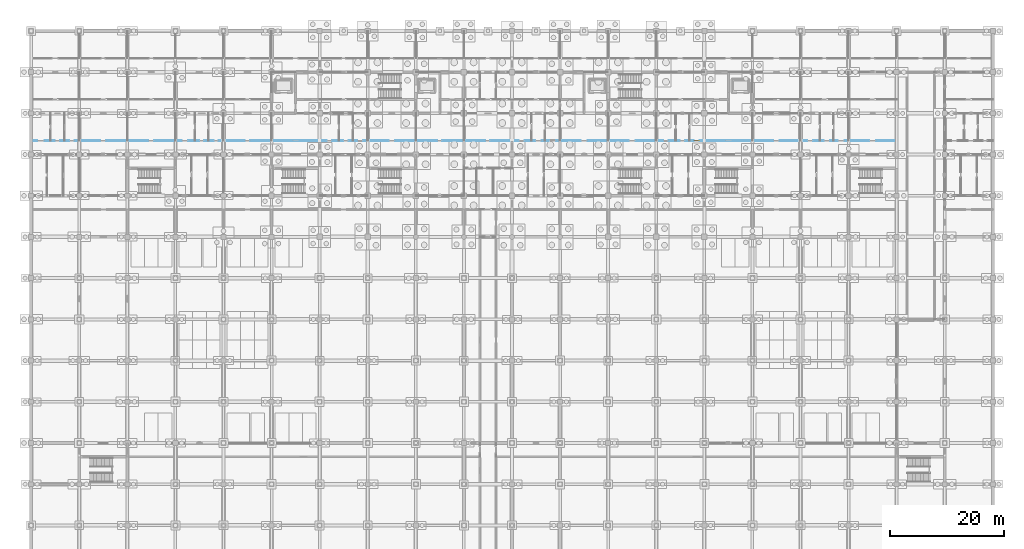
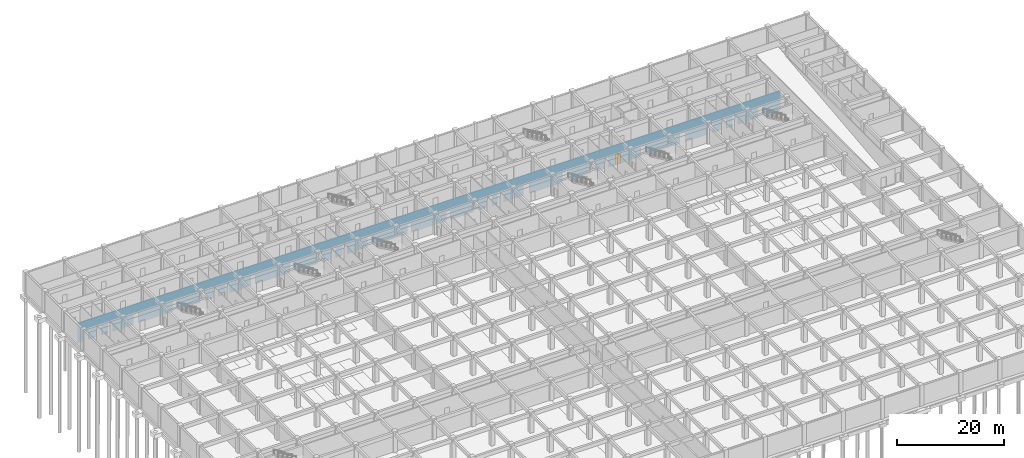
# One storey, part 64 of 85: 1 door, 30 openings, plus 1 element that does not belong to this part.
"""IFC4 building model written with IfcOpenShell, lengths in metres."""

from ifc_helpers import new_model, si_unit, direction, frame, frame_2d, origin, place, context, subcontext, project, spatial, rectangle, extrude, material, layer, layer_set, type_object, element, fill, save


model = new_model("IFC4")

# Units and contexts
model_context = context("Model", 3, precision=1e-05, world=origin(), true_north=direction((0.0, 1.0)))
body_context = subcontext(model_context, "Body", "Model", "MODEL_VIEW")
ifc_project = project(units=[si_unit("LENGTHUNIT", "METRE"), si_unit("AREAUNIT", "SQUARE_METRE"), si_unit("VOLUMEUNIT", "CUBIC_METRE"), si_unit("PLANEANGLEUNIT", "RADIAN"), si_unit("MASSUNIT", "GRAM", prefix="KILO")], contexts=[model_context])

# Site, building, storey
site_placement = place(None, origin())
site = spatial("IfcSite", under=ifc_project, at=site_placement, CompositionType="ELEMENT")
building_placement = place(site_placement, origin())
building = spatial("IfcBuilding", under=site, at=building_placement, Name="Chengyuan Square Courthouse", CompositionType="ELEMENT")
storey_placement = place(building_placement, frame((0.0, 0.0, -10.199951171875)))
storey = spatial("IfcBuildingStorey", under=building, at=storey_placement, Name="B02", CompositionType="ELEMENT", Elevation=-10.199951171875)

# Wall, openings, door
ifc_material_1 = material(Name="Gypsum Plasterboard Acoustic Stud Partition")
ifc_layer = layer(ifc_material_1, 0.10009765625)
ifc_layer_set = layer_set([ifc_layer], Name="Gypsum Plasterboard Acoustic Stud Partition")
wall_type = type_object("IfcWallType", Name="WL-PT6", PredefinedType="STANDARD", material=ifc_layer_set)
wall_placement = place(storey_placement, frame((0.0400390625, 96.0, 0.0), z_axis=(0.0, 0.0, 1.0), x_axis=(1.0, 0.0, 0.0)))
wall = element("IfcWall", 1, at=wall_placement, inside=storey, type_object=wall_type, Name="Interior Wall WL-B02-I062", PredefinedType="STANDARD", context=body_context, shape_type="SweptSolid", body=[
    extrude(rectangle(XDim=151.159912109375, YDim=0.10009765625, at=frame_2d((75.580078125, 0.0))), origin(), (0.0, 0.0, 1.0), 4.47998046875),
])
opening_1_placement = place(wall_placement, frame((1.0400390625, 0.0, 0.0)))
element("IfcOpeningElement", 2, at=opening_1_placement, cuts=wall, Name="Opening DR-148", PredefinedType="OPENING", context=body_context, shape_type="SweptSolid", body=[
    extrude(rectangle(XDim=1.280029296875, YDim=2.35009765625, at=frame_2d((0.64013671875, 1.175048828125))), frame((0.0, 0.06201171875, 0.0), z_axis=(0.0, -1.0, 0.0), x_axis=(1.0, 0.0, 0.0)), (0.0, 0.0, 1.0), 0.1240234375),
])
opening_2_placement = place(wall_placement, frame((4.090087890625, 0.0, 0.0)))
element("IfcOpeningElement", 3, at=opening_2_placement, cuts=wall, Name="Opening DR-149", PredefinedType="OPENING", context=body_context, shape_type="SweptSolid", body=[
    extrude(rectangle(XDim=0.93994140625, YDim=2.300048828125, at=frame_2d((0.469970703125, 1.14990234375))), frame((0.0, 0.06201171875, 0.0), z_axis=(0.0, -1.0, 0.0), x_axis=(1.0, 0.0, 0.0)), (0.0, 0.0, 1.0), 0.1240234375),
])
opening_3_placement = place(wall_placement, frame((6.570068359375, 0.0, 0.0)))
element("IfcOpeningElement", 4, at=opening_3_placement, cuts=wall, Name="Opening DR-150", PredefinedType="OPENING", context=body_context, shape_type="SweptSolid", body=[
    extrude(rectangle(XDim=0.97998046875, YDim=2.35009765625, at=frame_2d((0.489990234375, 1.175048828125))), frame((0.0, 0.06201171875, 0.0), z_axis=(0.0, -1.0, 0.0), x_axis=(1.0, 0.0, 0.0)), (0.0, 0.0, 1.0), 0.1240234375),
])
opening_4_placement = place(wall_placement, frame((12.050048828125, 0.0, 0.0)))
element("IfcOpeningElement", 5, at=opening_4_placement, cuts=wall, Name="Opening DR-151", PredefinedType="OPENING", context=body_context, shape_type="SweptSolid", body=[
    extrude(rectangle(XDim=1.02001953125, YDim=2.39990234375, at=frame_2d((0.510009765625, 1.199951171875))), frame((0.0, 0.06201171875, 0.0), z_axis=(0.0, -1.0, 0.0), x_axis=(1.0, 0.0, 0.0)), (0.0, 0.0, 1.0), 0.1240234375),
])
opening_5_placement = place(wall_placement, frame((20.429931640625, 0.0, 0.0)))
element("IfcOpeningElement", 6, at=opening_5_placement, cuts=wall, Name="Opening DR-152", PredefinedType="OPENING", context=body_context, shape_type="SweptSolid", body=[
    extrude(rectangle(XDim=1.06005859375, YDim=2.39990234375, at=frame_2d((0.530029296875, 1.199951171875))), frame((0.0, 0.06201171875, 0.0), z_axis=(0.0, -1.0, 0.0), x_axis=(1.0, 0.0, 0.0)), (0.0, 0.0, 1.0), 0.1240234375),
])
opening_6_placement = place(wall_placement, frame((26.2900390625, 0.0, 0.0)))
element("IfcOpeningElement", 7, at=opening_6_placement, cuts=wall, Name="Opening DR-153", PredefinedType="OPENING", context=body_context, shape_type="SweptSolid", body=[
    extrude(rectangle(XDim=1.139892578125, YDim=2.39990234375, at=frame_2d((0.56982421875, 1.199951171875))), frame((0.0, 0.06201171875, 0.0), z_axis=(0.0, -1.0, 0.0), x_axis=(1.0, 0.0, 0.0)), (0.0, 0.0, 1.0), 0.1240234375),
])
opening_7_placement = place(wall_placement, frame((29.31005859375, 0.0, 0.0)))
element("IfcOpeningElement", 8, at=opening_7_placement, cuts=wall, Name="Opening DR-154", PredefinedType="OPENING", context=body_context, shape_type="SweptSolid", body=[
    extrude(rectangle(XDim=0.89990234375, YDim=2.14990234375, at=frame_2d((0.449951171875, 1.074951171875))), frame((0.0, 0.06201171875, 0.0), z_axis=(0.0, -1.0, 0.0), x_axis=(1.0, 0.0, 0.0)), (0.0, 0.0, 1.0), 0.1240234375),
])
opening_8_placement = place(wall_placement, frame((31.830078125, 0.0, 0.0)))
element("IfcOpeningElement", 9, at=opening_8_placement, cuts=wall, Name="Opening DR-155", PredefinedType="OPENING", context=body_context, shape_type="SweptSolid", body=[
    extrude(rectangle(XDim=0.860107421875, YDim=2.10009765625, at=frame_2d((0.43017578125, 1.050048828125))), frame((0.0, 0.06201171875, 0.0), z_axis=(0.0, -1.0, 0.0), x_axis=(1.0, 0.0, 0.0)), (0.0, 0.0, 1.0), 0.1240234375),
])
opening_9_placement = place(wall_placement, frame((37.300048828125, 0.0, 0.0)))
element("IfcOpeningElement", 10, at=opening_9_placement, cuts=wall, Name="Opening DR-156", PredefinedType="OPENING", context=body_context, shape_type="SweptSolid", body=[
    extrude(rectangle(XDim=0.919921875, YDim=2.14990234375, at=frame_2d((0.4599609375, 1.074951171875))), frame((0.0, 0.06201171875, 0.0), z_axis=(0.0, -1.0, 0.0), x_axis=(1.0, 0.0, 0.0)), (0.0, 0.0, 1.0), 0.1240234375),
])
opening_10_placement = place(wall_placement, frame((45.679931640625, 0.0, 0.0)))
element("IfcOpeningElement", 11, at=opening_10_placement, cuts=wall, Name="Opening DR-157", PredefinedType="OPENING", context=body_context, shape_type="SweptSolid", body=[
    extrude(rectangle(XDim=0.9599609375, YDim=2.199951171875, at=frame_2d((0.47998046875, 1.10009765625))), frame((0.0, 0.06201171875, 0.0), z_axis=(0.0, -1.0, 0.0), x_axis=(1.0, 0.0, 0.0)), (0.0, 0.0, 1.0), 0.1240234375),
])
opening_11_placement = place(wall_placement, frame((51.570068359375, 0.0, 0.0)))
element("IfcOpeningElement", 12, at=opening_11_placement, cuts=wall, Name="Opening DR-167", PredefinedType="OPENING", context=body_context, shape_type="SweptSolid", body=[
    extrude(rectangle(XDim=0.97998046875, YDim=2.35009765625, at=frame_2d((0.489990234375, 1.175048828125))), frame((0.0, 0.06201171875, 0.0), z_axis=(0.0, -1.0, 0.0), x_axis=(1.0, 0.0, 0.0)), (0.0, 0.0, 1.0), 0.1240234375),
])
opening_12_placement = place(wall_placement, frame((54.449951171875, 0.0, 0.0)))
element("IfcOpeningElement", 13, at=opening_12_placement, cuts=wall, Name="Opening DR-168", PredefinedType="OPENING", context=body_context, shape_type="SweptSolid", body=[
    extrude(rectangle(XDim=1.02001953125, YDim=2.39990234375, at=frame_2d((0.510009765625, 1.199951171875))), frame((0.0, 0.06201171875, 0.0), z_axis=(0.0, -1.0, 0.0), x_axis=(1.0, 0.0, 0.0)), (0.0, 0.0, 1.0), 0.1240234375),
])
opening_13_placement = place(wall_placement, frame((56.929931640625, 0.0, 0.0)))
element("IfcOpeningElement", 14, at=opening_13_placement, cuts=wall, Name="Opening DR-169", PredefinedType="OPENING", context=body_context, shape_type="SweptSolid", body=[
    extrude(rectangle(XDim=1.06005859375, YDim=2.39990234375, at=frame_2d((0.530029296875, 1.199951171875))), frame((0.0, 0.06201171875, 0.0), z_axis=(0.0, -1.0, 0.0), x_axis=(1.0, 0.0, 0.0)), (0.0, 0.0, 1.0), 0.1240234375),
])
opening_14_placement = place(wall_placement, frame((62.389892578125, 0.0, 0.0)))
element("IfcOpeningElement", 15, at=opening_14_placement, cuts=wall, Name="Opening DR-170", PredefinedType="OPENING", context=body_context, shape_type="SweptSolid", body=[
    extrude(rectangle(XDim=1.139892578125, YDim=2.39990234375, at=frame_2d((0.56982421875, 1.199951171875))), frame((0.0, 0.06201171875, 0.0), z_axis=(0.0, -1.0, 0.0), x_axis=(1.0, 0.0, 0.0)), (0.0, 0.0, 1.0), 0.1240234375),
])
opening_15_placement = place(wall_placement, frame((70.909912109375, 0.0, 0.0)))
element("IfcOpeningElement", 16, at=opening_15_placement, cuts=wall, Name="Opening DR-171", PredefinedType="OPENING", context=body_context, shape_type="SweptSolid", body=[
    extrude(rectangle(XDim=0.89990234375, YDim=2.14990234375, at=frame_2d((0.449951171875, 1.074951171875))), frame((0.0, 0.06201171875, 0.0), z_axis=(0.0, -1.0, 0.0), x_axis=(1.0, 0.0, 0.0)), (0.0, 0.0, 1.0), 0.1240234375),
])
opening_16_placement = place(wall_placement, frame((79.330078125, 0.0, 0.0)))
element("IfcOpeningElement", 17, at=opening_16_placement, cuts=wall, Name="Opening DR-172", PredefinedType="OPENING", context=body_context, shape_type="SweptSolid", body=[
    extrude(rectangle(XDim=0.860107421875, YDim=2.10009765625, at=frame_2d((0.43017578125, 1.050048828125))), frame((0.0, 0.06201171875, 0.0), z_axis=(0.0, -1.0, 0.0), x_axis=(1.0, 0.0, 0.0)), (0.0, 0.0, 1.0), 0.1240234375),
])
opening_17_placement = place(wall_placement, frame((85.10009765625, 0.0, 0.0)))
element("IfcOpeningElement", 18, at=opening_17_placement, cuts=wall, Name="Opening DR-178", PredefinedType="OPENING", context=body_context, shape_type="SweptSolid", body=[
    extrude(rectangle(XDim=1.1201171875, YDim=2.25, at=frame_2d((0.56005859375, 1.125))), frame((0.0, 0.06201171875, 0.0), z_axis=(0.0, -1.0, 0.0), x_axis=(1.0, 0.0, 0.0)), (0.0, 0.0, 1.0), 0.1240234375),
])
opening_18_placement = place(wall_placement, frame((87.97998046875, 0.0, 0.0)))
element("IfcOpeningElement", 19, at=opening_18_placement, cuts=wall, Name="Opening DR-179", PredefinedType="OPENING", context=body_context, shape_type="SweptSolid", body=[
    extrude(rectangle(XDim=1.159912109375, YDim=2.300048828125, at=frame_2d((0.580078125, 1.14990234375))), frame((0.0, 0.06201171875, 0.0), z_axis=(0.0, -1.0, 0.0), x_axis=(1.0, 0.0, 0.0)), (0.0, 0.0, 1.0), 0.1240234375),
])
opening_19_placement = place(wall_placement, frame((90.4599609375, 0.0, 0.0)))
element("IfcOpeningElement", 20, at=opening_19_placement, cuts=wall, Name="Opening DR-180", PredefinedType="OPENING", context=body_context, shape_type="SweptSolid", body=[
    extrude(rectangle(XDim=1.199951171875, YDim=2.35009765625, at=frame_2d((0.60009765625, 1.175048828125))), frame((0.0, 0.06201171875, 0.0), z_axis=(0.0, -1.0, 0.0), x_axis=(1.0, 0.0, 0.0)), (0.0, 0.0, 1.0), 0.1240234375),
])
opening_20_placement = place(wall_placement, frame((95.93994140625, 0.0, 0.0)))
element("IfcOpeningElement", 21, at=opening_20_placement, cuts=wall, Name="Opening DR-181", PredefinedType="OPENING", context=body_context, shape_type="SweptSolid", body=[
    extrude(rectangle(XDim=1.239990234375, YDim=2.300048828125, at=frame_2d((0.6201171875, 1.14990234375))), frame((0.0, 0.06201171875, 0.0), z_axis=(0.0, -1.0, 0.0), x_axis=(1.0, 0.0, 0.0)), (0.0, 0.0, 1.0), 0.1240234375),
])
opening_21_placement = place(wall_placement, frame((104.320068359375, 0.0, 0.0)))
element("IfcOpeningElement", 22, at=opening_21_placement, cuts=wall, Name="Opening DR-182", PredefinedType="OPENING", context=body_context, shape_type="SweptSolid", body=[
    extrude(rectangle(XDim=1.280029296875, YDim=2.35009765625, at=frame_2d((0.64013671875, 1.175048828125))), frame((0.0, 0.06201171875, 0.0), z_axis=(0.0, -1.0, 0.0), x_axis=(1.0, 0.0, 0.0)), (0.0, 0.0, 1.0), 0.1240234375),
])
opening_22_placement = place(wall_placement, frame((110.389892578125, 0.0, 0.0)))
element("IfcOpeningElement", 23, at=opening_22_placement, cuts=wall, Name="Opening DR-183", PredefinedType="OPENING", context=body_context, shape_type="SweptSolid", body=[
    extrude(rectangle(XDim=0.93994140625, YDim=2.300048828125, at=frame_2d((0.469970703125, 1.14990234375))), frame((0.0, 0.06201171875, 0.0), z_axis=(0.0, -1.0, 0.0), x_axis=(1.0, 0.0, 0.0)), (0.0, 0.0, 1.0), 0.1240234375),
])
opening_23_placement = place(wall_placement, frame((113.27001953125, 0.0, 0.0)))
element("IfcOpeningElement", 24, at=opening_23_placement, cuts=wall, Name="Opening DR-184", PredefinedType="OPENING", context=body_context, shape_type="SweptSolid", body=[
    extrude(rectangle(XDim=0.97998046875, YDim=2.35009765625, at=frame_2d((0.489990234375, 1.175048828125))), frame((0.0, 0.06201171875, 0.0), z_axis=(0.0, -1.0, 0.0), x_axis=(1.0, 0.0, 0.0)), (0.0, 0.0, 1.0), 0.1240234375),
])
opening_24_placement = place(wall_placement, frame((115.75, 0.0, 0.0)))
opening_24 = element("IfcOpeningElement", 25, at=opening_24_placement, cuts=wall, Name="Opening DR-185", PredefinedType="OPENING", context=body_context, shape_type="SweptSolid", body=[
    extrude(rectangle(XDim=1.02001953125, YDim=2.39990234375, at=frame_2d((0.510009765625, 1.199951171875))), frame((0.0, 0.06201171875, 0.0), z_axis=(0.0, -1.0, 0.0), x_axis=(1.0, 0.0, 0.0)), (0.0, 0.0, 1.0), 0.1240234375),
])
opening_25_placement = place(wall_placement, frame((121.239990234375, 0.0, 0.0)))
element("IfcOpeningElement", 26, at=opening_25_placement, cuts=wall, Name="Opening DR-193", PredefinedType="OPENING", context=body_context, shape_type="SweptSolid", body=[
    extrude(rectangle(XDim=1.0400390625, YDim=2.199951171875, at=frame_2d((0.52001953125, 1.10009765625))), frame((0.0, 0.06201171875, 0.0), z_axis=(0.0, -1.0, 0.0), x_axis=(1.0, 0.0, 0.0)), (0.0, 0.0, 1.0), 0.1240234375),
])
opening_26_placement = place(wall_placement, frame((129.6201171875, 0.0, 0.0)))
element("IfcOpeningElement", 27, at=opening_26_placement, cuts=wall, Name="Opening DR-194", PredefinedType="OPENING", context=body_context, shape_type="SweptSolid", body=[
    extrude(rectangle(XDim=1.080078125, YDim=2.25, at=frame_2d((0.5400390625, 1.125))), frame((0.0, 0.06201171875, 0.0), z_axis=(0.0, -1.0, 0.0), x_axis=(1.0, 0.0, 0.0)), (0.0, 0.0, 1.0), 0.1240234375),
])
opening_27_placement = place(wall_placement, frame((135.5, 0.0, 0.0)))
element("IfcOpeningElement", 28, at=opening_27_placement, cuts=wall, Name="Opening DR-195", PredefinedType="OPENING", context=body_context, shape_type="SweptSolid", body=[
    extrude(rectangle(XDim=1.1201171875, YDim=2.25, at=frame_2d((0.56005859375, 1.125))), frame((0.0, 0.06201171875, 0.0), z_axis=(0.0, -1.0, 0.0), x_axis=(1.0, 0.0, 0.0)), (0.0, 0.0, 1.0), 0.1240234375),
])
opening_28_placement = place(wall_placement, frame((138.3798828125, 0.0, 0.0)))
element("IfcOpeningElement", 29, at=opening_28_placement, cuts=wall, Name="Opening DR-196", PredefinedType="OPENING", context=body_context, shape_type="SweptSolid", body=[
    extrude(rectangle(XDim=1.159912109375, YDim=2.300048828125, at=frame_2d((0.580078125, 1.14990234375))), frame((0.0, 0.06201171875, 0.0), z_axis=(0.0, -1.0, 0.0), x_axis=(1.0, 0.0, 0.0)), (0.0, 0.0, 1.0), 0.1240234375),
])
opening_29_placement = place(wall_placement, frame((140.860107421875, 0.0, 0.0)))
element("IfcOpeningElement", 30, at=opening_29_placement, cuts=wall, Name="Opening DR-197", PredefinedType="OPENING", context=body_context, shape_type="SweptSolid", body=[
    extrude(rectangle(XDim=1.199951171875, YDim=2.35009765625, at=frame_2d((0.60009765625, 1.175048828125))), frame((0.0, 0.06201171875, 0.0), z_axis=(0.0, -1.0, 0.0), x_axis=(1.0, 0.0, 0.0)), (0.0, 0.0, 1.0), 0.1240234375),
])
opening_30_placement = place(wall_placement, frame((146.340087890625, 0.0, 0.0)))
element("IfcOpeningElement", 31, at=opening_30_placement, cuts=wall, Name="Opening DR-198", PredefinedType="OPENING", context=body_context, shape_type="SweptSolid", body=[
    extrude(rectangle(XDim=1.239990234375, YDim=2.300048828125, at=frame_2d((0.6201171875, 1.14990234375))), frame((0.0, 0.06201171875, 0.0), z_axis=(0.0, -1.0, 0.0), x_axis=(1.0, 0.0, 0.0)), (0.0, 0.0, 1.0), 0.1240234375),
])
ifc_material_2 = material(Name="Acoustic Solid-Core Timber Door", Category="wood")
door_type = type_object("IfcDoorType", Name="DT-41", OperationType="NOTDEFINED", PredefinedType="DOOR", material=ifc_material_2)
door_placement = place(opening_24_placement, origin())
door = element("IfcDoor", 32, at=door_placement, inside=storey, type_object=door_type, Name="Interior Door DR-185", OperationType="SINGLE_SWING_RIGHT", OverallHeight=2.39990234375, OverallWidth=1.02001953125, PredefinedType="DOOR", context=body_context, shape_type="SweptSolid", body=[
    extrude(rectangle(XDim=1.02001953125, YDim=2.39990234375, at=frame_2d((0.510009765625, 1.199951171875))), frame((0.0, 0.02490234375, 0.0), z_axis=(0.0, -1.0, 0.0), x_axis=(1.0, 0.0, 0.0)), (0.0, 0.0, 1.0), 0.050048828125),
])
fill(opening_24, door)

save(model, "model.ifc")
